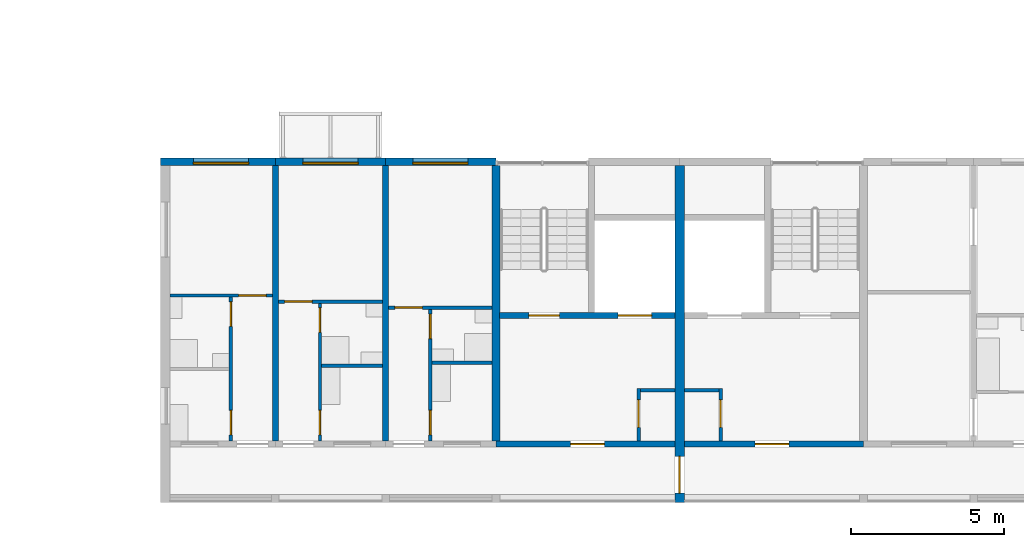
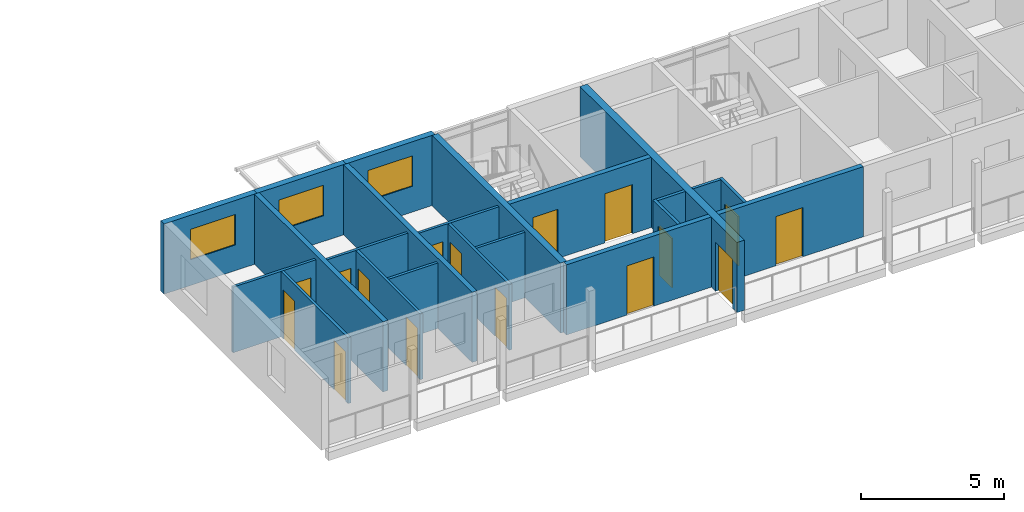
# One storey, part 45 of 93: 22 walls, 16 doors, 3 windows, 19 openings.
"""IFC4 building model written with IfcOpenShell, lengths in metres."""

from ifc_helpers import new_model, si_unit, direction, frame, frame_2d, origin, place, context, subcontext, project, spatial, rectangle, extrude, material, layer, layer_set, type_object, element, fill, save


model = new_model("IFC4")

# Units and contexts
model_context = context("Model", 3, precision=1e-05, world=origin(), true_north=direction((0.0, 1.0)))
body_context = subcontext(model_context, "Body", "Model", "MODEL_VIEW")
ifc_project = project(units=[si_unit("LENGTHUNIT", "METRE"), si_unit("AREAUNIT", "SQUARE_METRE"), si_unit("VOLUMEUNIT", "CUBIC_METRE"), si_unit("PLANEANGLEUNIT", "RADIAN"), si_unit("MASSUNIT", "GRAM", prefix="KILO")], contexts=[model_context])

# Site, building, storey
site_placement = place(None, origin())
site = spatial("IfcSite", under=ifc_project, at=site_placement, CompositionType="ELEMENT")
building_placement = place(site_placement, origin())
building = spatial("IfcBuilding", under=site, at=building_placement, Name="Ridgestep Commons", CompositionType="ELEMENT")
storey_placement = place(building_placement, frame((0.0, 0.0, 18.0)))
storey = spatial("IfcBuildingStorey", under=building, at=storey_placement, Name="L06", CompositionType="ELEMENT", Elevation=18.0)

# Wall
ifc_material_1 = material(Name="Concrete C30/37", Category="concrete")
ifc_layer_1 = layer(ifc_material_1, 0.25)
ifc_layer_set_1 = layer_set([ifc_layer_1], Name="Core cross wall 250")
wall_type_1 = type_object("IfcWallType", Name="Core cross wall 250", PredefinedType="SHEAR", material=ifc_layer_set_1)
wall_1_placement = place(storey_placement, frame((157.60009765625, 13.75, 0.0), z_axis=(0.0, 0.0, 1.0), x_axis=(0.0, 1.0, 0.0)))
element("IfcWall", 1, at=wall_1_placement, inside=storey, type_object=wall_type_1, Name="Cross wall D-06-1576", PredefinedType="SHEAR", context=body_context, shape_type="SweptSolid", body=[
    extrude(rectangle(XDim=9.0, YDim=0.25, at=frame_2d((4.5, 0.0))), origin(), (0.0, 0.0, 1.0), 3.0),
])

# Wall, opening, door
ifc_material_2 = material(Name="Concrete C30/37", Category="concrete")
ifc_layer_2 = layer(ifc_material_2, 0.199951171875)
ifc_layer_set_2 = layer_set([ifc_layer_2], Name="Core south wall 200")
wall_type_2 = type_object("IfcWallType", Name="Core south wall 200", PredefinedType="SHEAR", material=ifc_layer_set_2)
wall_2_placement = place(storey_placement, frame((157.60009765625, 13.64990234375, 0.0), z_axis=(0.0, 0.0, 1.0), x_axis=(1.0, 0.0, 0.0)))
wall_2 = element("IfcWall", 2, at=wall_2_placement, inside=storey, type_object=wall_type_2, Name="Core south wall D1C L06", PredefinedType="SHEAR", context=body_context, shape_type="SweptSolid", body=[
    extrude(rectangle(XDim=5.849853515625, YDim=0.199951171875, at=frame_2d((2.9248046875, 0.0))), origin(), (0.0, 0.0, 1.0), 3.0),
])
opening_1_placement = place(wall_2_placement, frame((2.4375, 0.0, 0.0)))
opening_1 = element("IfcOpeningElement", 3, at=opening_1_placement, cuts=wall_2, Name="Opening D1C/06/1", PredefinedType="OPENING", context=body_context, shape_type="SweptSolid", body=[
    extrude(rectangle(XDim=1.10009765625, YDim=2.10009765625, at=frame_2d((0.550048828125, 1.050048828125))), frame((0.0, 0.10986328125, 0.0), z_axis=(0.0, -1.0, 0.0), x_axis=(1.0, 0.0, 0.0)), (0.0, 0.0, 1.0), 0.219970703125),
])
ifc_material_3 = material(Name="Steel fire door", Category="steel")
door_type_1 = type_object("IfcDoorType", Name="Lobby door 1100 x 2100 FD60", OperationType="NOTDEFINED", PredefinedType="DOOR", material=ifc_material_3)
door_1_placement = place(opening_1_placement, origin())
door_1 = element("IfcDoor", 4, at=door_1_placement, inside=storey, type_object=door_type_1, Name="Lobby door D1C/06/1", OperationType="SINGLE_SWING_LEFT", OverallHeight=2.10009765625, OverallWidth=1.10009765625, PredefinedType="DOOR", context=body_context, shape_type="SweptSolid", body=[
    extrude(rectangle(XDim=1.10009765625, YDim=2.10009765625, at=frame_2d((0.550048828125, 1.050048828125))), frame((0.0, 0.02490234375, 0.0), z_axis=(0.0, -1.0, 0.0), x_axis=(1.0, 0.0, 0.0)), (0.0, 0.0, 1.0), 0.050048828125),
])
fill(opening_1, door_1)

wall_3_placement = place(storey_placement, frame((163.75, 13.64990234375, 0.0), z_axis=(0.0, 0.0, 1.0), x_axis=(1.0, 0.0, 0.0)))
wall_3 = element("IfcWall", 5, at=wall_3_placement, inside=storey, type_object=wall_type_2, Name="Core south wall D2C L06", PredefinedType="SHEAR", context=body_context, shape_type="SweptSolid", body=[
    extrude(rectangle(XDim=5.85009765625, YDim=0.199951171875, at=frame_2d((2.925048828125, 0.0))), origin(), (0.0, 0.0, 1.0), 3.0),
])
opening_2_placement = place(wall_3_placement, frame((2.3125, 0.0, 0.0)))
opening_2 = element("IfcOpeningElement", 6, at=opening_2_placement, cuts=wall_3, Name="Opening D2C/06/1", PredefinedType="OPENING", context=body_context, shape_type="SweptSolid", body=[
    extrude(rectangle(XDim=1.10009765625, YDim=2.10009765625, at=frame_2d((0.550048828125, 1.050048828125))), frame((0.0, 0.10986328125, 0.0), z_axis=(0.0, -1.0, 0.0), x_axis=(1.0, 0.0, 0.0)), (0.0, 0.0, 1.0), 0.219970703125),
])
door_2_placement = place(opening_2_placement, origin())
door_2 = element("IfcDoor", 7, at=door_2_placement, inside=storey, type_object=door_type_1, Name="Lobby door D2C/06/1", OperationType="SINGLE_SWING_LEFT", OverallHeight=2.10009765625, OverallWidth=1.10009765625, PredefinedType="DOOR", context=body_context, shape_type="SweptSolid", body=[
    extrude(rectangle(XDim=1.10009765625, YDim=2.10009765625, at=frame_2d((0.550048828125, 1.050048828125))), frame((0.0, 0.02490234375, 0.0), z_axis=(0.0, -1.0, 0.0), x_axis=(1.0, 0.0, 0.0)), (0.0, 0.0, 1.0), 0.050048828125),
])
fill(opening_2, door_2)

ifc_material_4 = material(Name="Concrete C30/37", Category="concrete")
ifc_layer_3 = layer(ifc_material_4, 0.1201171875)
ifc_layer_set_3 = layer_set([ifc_layer_3], Name="Core wall 120")
wall_type_3 = type_object("IfcWallType", Name="Core wall 120", PredefinedType="SHEAR", material=ifc_layer_set_3)
wall_4_placement = place(storey_placement, frame((162.260009765625, 13.75, 0.0), z_axis=(0.0, 0.0, 1.0), x_axis=(0.0, 1.0, 0.0)))
wall_4 = element("IfcWall", 8, at=wall_4_placement, inside=storey, type_object=wall_type_3, Name="Core riser w wall D1C L06", PredefinedType="SHEAR", context=body_context, shape_type="SweptSolid", body=[
    extrude(rectangle(XDim=1.719970703125, YDim=0.1201171875, at=frame_2d((0.85986328125, 0.0))), origin(), (0.0, 0.0, 1.0), 3.0),
])
opening_3_placement = place(wall_4_placement, frame((0.449951171875, 0.0, 0.0)))
opening_3 = element("IfcOpeningElement", 9, at=opening_3_placement, cuts=wall_4, Name="Opening D1C/06/4", PredefinedType="OPENING", context=body_context, shape_type="SweptSolid", body=[
    extrude(rectangle(XDim=0.89990234375, YDim=2.10009765625, at=frame_2d((0.449951171875, 1.050048828125))), frame((0.0, 0.070068359375, 0.0), z_axis=(0.0, -1.0, 0.0), x_axis=(1.0, 0.0, 0.0)), (0.0, 0.0, 1.0), 0.14013671875),
])
ifc_material_5 = material(Name="Steel fire door", Category="steel")
door_type_2 = type_object("IfcDoorType", Name="Riser door 900 x 2100 FD60", OperationType="NOTDEFINED", PredefinedType="DOOR", material=ifc_material_5)
door_3_placement = place(opening_3_placement, origin())
door_3 = element("IfcDoor", 10, at=door_3_placement, inside=storey, type_object=door_type_2, Name="Riser door D1C/06/4", OperationType="SINGLE_SWING_LEFT", OverallHeight=2.10009765625, OverallWidth=0.89990234375, PredefinedType="DOOR", context=body_context, shape_type="SweptSolid", body=[
    extrude(rectangle(XDim=0.89990234375, YDim=2.10009765625, at=frame_2d((0.449951171875, 1.050048828125))), frame((0.0, 0.02490234375, 0.0), z_axis=(0.0, -1.0, 0.0), x_axis=(1.0, 0.0, 0.0)), (0.0, 0.0, 1.0), 0.050048828125),
])
fill(opening_3, door_3)

# Wall
wall_5_placement = place(storey_placement, frame((162.320068359375, 15.409912109375, 0.0), z_axis=(0.0, 0.0, 1.0), x_axis=(1.0, 0.0, 0.0)))
element("IfcWall", 11, at=wall_5_placement, inside=storey, type_object=wall_type_3, Name="Core riser n wall D1C L06", PredefinedType="SHEAR", context=body_context, shape_type="SweptSolid", body=[
    extrude(rectangle(XDim=1.1298828125, YDim=0.1201171875, at=frame_2d((0.56494140625, 0.0))), origin(), (0.0, 0.0, 1.0), 3.0),
])

# Wall, opening, door
wall_6_placement = place(storey_placement, frame((164.93994140625, 13.75, 0.0), z_axis=(0.0, 0.0, 1.0), x_axis=(0.0, 1.0, 0.0)))
wall_6 = element("IfcWall", 12, at=wall_6_placement, inside=storey, type_object=wall_type_3, Name="Core riser w wall D2C L06", PredefinedType="SHEAR", context=body_context, shape_type="SweptSolid", body=[
    extrude(rectangle(XDim=1.719970703125, YDim=0.1201171875, at=frame_2d((0.85986328125, 0.0))), origin(), (0.0, 0.0, 1.0), 3.0),
])
opening_4_placement = place(wall_6_placement, frame((0.449951171875, 0.0, 0.0)))
opening_4 = element("IfcOpeningElement", 13, at=opening_4_placement, cuts=wall_6, Name="Opening D2C/06/4", PredefinedType="OPENING", context=body_context, shape_type="SweptSolid", body=[
    extrude(rectangle(XDim=0.89990234375, YDim=2.10009765625, at=frame_2d((0.449951171875, 1.050048828125))), frame((0.0, 0.070068359375, 0.0), z_axis=(0.0, -1.0, 0.0), x_axis=(1.0, 0.0, 0.0)), (0.0, 0.0, 1.0), 0.14013671875),
])
door_4_placement = place(opening_4_placement, origin())
door_4 = element("IfcDoor", 14, at=door_4_placement, inside=storey, type_object=door_type_2, Name="Riser door D2C/06/4", OperationType="SINGLE_SWING_RIGHT", OverallHeight=2.10009765625, OverallWidth=0.89990234375, PredefinedType="DOOR", context=body_context, shape_type="SweptSolid", body=[
    extrude(rectangle(XDim=0.89990234375, YDim=2.10009765625, at=frame_2d((0.449951171875, 1.050048828125))), frame((0.0, 0.02490234375, 0.0), z_axis=(0.0, -1.0, 0.0), x_axis=(1.0, 0.0, 0.0)), (0.0, 0.0, 1.0), 0.050048828125),
])
fill(opening_4, door_4)

# Wall
wall_7_placement = place(storey_placement, frame((163.75, 15.409912109375, 0.0), z_axis=(0.0, 0.0, 1.0), x_axis=(1.0, 0.0, 0.0)))
element("IfcWall", 15, at=wall_7_placement, inside=storey, type_object=wall_type_3, Name="Core riser n wall D2C L06", PredefinedType="SHEAR", context=body_context, shape_type="SweptSolid", body=[
    extrude(rectangle(XDim=1.1298828125, YDim=0.1201171875, at=frame_2d((0.56494140625, 0.0))), origin(), (0.0, 0.0, 1.0), 3.0),
])

# Wall, openings, doors
ifc_material_6 = material(Name="Concrete C30/37", Category="concrete")
ifc_layer_4 = layer(ifc_material_6, 0.199951171875)
ifc_layer_set_4 = layer_set([ifc_layer_4], Name="Core wall 200")
wall_type_4 = type_object("IfcWallType", Name="Core wall 200", PredefinedType="SHEAR", material=ifc_layer_set_4)
wall_8_placement = place(storey_placement, frame((157.72509765625, 17.85009765625, 0.0), z_axis=(0.0, 0.0, 1.0), x_axis=(1.0, 0.0, 0.0)))
wall_8 = element("IfcWall", 16, at=wall_8_placement, inside=storey, type_object=wall_type_4, Name="Core lobby wall D1C L06", PredefinedType="SHEAR", context=body_context, shape_type="SweptSolid", body=[
    extrude(rectangle(XDim=5.724853515625, YDim=0.199951171875, at=frame_2d((2.8623046875, 0.0))), origin(), (0.0, 0.0, 1.0), 3.0),
])
opening_5_placement = place(wall_8_placement, frame((0.949951171875, 0.0, 0.0)))
opening_5 = element("IfcOpeningElement", 17, at=opening_5_placement, cuts=wall_8, Name="Opening D1C/06/2", PredefinedType="OPENING", context=body_context, shape_type="SweptSolid", body=[
    extrude(rectangle(XDim=1.0, YDim=2.10009765625, at=frame_2d((0.5, 1.050048828125))), frame((0.0, 0.10986328125, 0.0), z_axis=(0.0, -1.0, 0.0), x_axis=(1.0, 0.0, 0.0)), (0.0, 0.0, 1.0), 0.219970703125),
])
opening_6_placement = place(wall_8_placement, frame((3.862548828125, 0.0, 0.0)))
opening_6 = element("IfcOpeningElement", 18, at=opening_6_placement, cuts=wall_8, Name="Opening D1C/06/3", PredefinedType="OPENING", context=body_context, shape_type="SweptSolid", body=[
    extrude(rectangle(XDim=1.10009765625, YDim=2.10009765625, at=frame_2d((0.550048828125, 1.050048828125))), frame((0.0, 0.10986328125, 0.0), z_axis=(0.0, -1.0, 0.0), x_axis=(1.0, 0.0, 0.0)), (0.0, 0.0, 1.0), 0.219970703125),
])
ifc_material_7 = material(Name="Stainless steel", Category="steel")
door_type_3 = type_object("IfcDoorType", Name="Lift landing door 1100 x 2100 FD60", OperationType="DOUBLE_DOOR_SLIDING", PredefinedType="DOOR", material=ifc_material_7)
door_5_placement = place(opening_6_placement, origin())
door_5 = element("IfcDoor", 19, at=door_5_placement, inside=storey, type_object=door_type_3, Name="Landing door LD D1C L06", OperationType="DOUBLE_DOOR_SLIDING", OverallHeight=2.10009765625, OverallWidth=1.10009765625, PredefinedType="DOOR", context=body_context, shape_type="SweptSolid", body=[
    extrude(rectangle(XDim=1.10009765625, YDim=2.10009765625, at=frame_2d((0.550048828125, 1.050048828125))), frame((0.0, 0.02490234375, 0.0), z_axis=(0.0, -1.0, 0.0), x_axis=(1.0, 0.0, 0.0)), (0.0, 0.0, 1.0), 0.050048828125),
])
fill(opening_6, door_5)
ifc_material_8 = material(Name="Steel fire door", Category="steel")
door_type_4 = type_object("IfcDoorType", Name="Stair door 1000 x 2100 FD60", OperationType="NOTDEFINED", PredefinedType="DOOR", material=ifc_material_8)
door_6_placement = place(opening_5_placement, origin())
door_6 = element("IfcDoor", 20, at=door_6_placement, inside=storey, type_object=door_type_4, Name="Stair door D1C/06/2", OperationType="SINGLE_SWING_RIGHT", OverallHeight=2.10009765625, OverallWidth=1.0, PredefinedType="DOOR", context=body_context, shape_type="SweptSolid", body=[
    extrude(rectangle(XDim=1.0, YDim=2.10009765625, at=frame_2d((0.5, 1.050048828125))), frame((0.0, 0.02490234375, 0.0), z_axis=(0.0, -1.0, 0.0), x_axis=(1.0, 0.0, 0.0)), (0.0, 0.0, 1.0), 0.050048828125),
])
fill(opening_5, door_6)

# Walls
ifc_material_9 = material(Name="Precast concrete C40/50", Category="concrete")
ifc_layer_5 = layer(ifc_material_9, 0.199951171875)
ifc_layer_set_5 = layer_set([ifc_layer_5], Name="Cross wall 200")
wall_type_5 = type_object("IfcWallType", Name="Cross wall 200", PredefinedType="SHEAR", material=ifc_layer_set_5)
for number, where, z_axis, x_axis, name in (
    (21, (150.39990234375, 13.75, 0.0), (0.0, 0.0, 1.0), (0.0, 1.0, 0.0), "Cross wall D-06-1504"),
    (22, (154.0, 13.75, 0.0), (0.0, 0.0, 1.0), (0.0, 1.0, 0.0), "Cross wall D-06-1540"),
):
    element("IfcWall", number, at=place(storey_placement, frame(where, z_axis=z_axis, x_axis=x_axis)), inside=storey, type_object=wall_type_5, Name=name, PredefinedType="SHEAR", context=body_context, shape_type="SweptSolid", body=[
        extrude(rectangle(XDim=9.0, YDim=0.199951171875, at=frame_2d((4.5, 0.0))), origin(), (0.0, 0.0, 1.0), 3.0),
    ])

# Wall, opening, door
ifc_material_10 = material(Name="Precast concrete C40/50", Category="concrete")
ifc_layer_6 = layer(ifc_material_10, 0.300048828125)
ifc_layer_set_6 = layer_set([ifc_layer_6], Name="Division wall 300")
wall_type_6 = type_object("IfcWallType", Name="Division wall 300", PredefinedType="SHEAR", material=ifc_layer_set_6)
wall_9_placement = place(storey_placement, frame((163.60009765625, 11.75, 0.0), z_axis=(0.0, 0.0, 1.0), x_axis=(0.0, 1.0, 0.0)))
wall_9 = element("IfcWall", 23, at=wall_9_placement, inside=storey, type_object=wall_type_6, Name="Cross wall D-06-1636", PredefinedType="SHEAR", context=body_context, shape_type="SweptSolid", body=[
    extrude(rectangle(XDim=11.0, YDim=0.300048828125, at=frame_2d((5.5, 0.0))), origin(), (0.0, 0.0, 1.0), 3.0),
])
opening_7_placement = place(wall_9_placement, frame((0.300048828125, 0.0, 0.0)))
opening_7 = element("IfcOpeningElement", 24, at=opening_7_placement, cuts=wall_9, Name="Opening D/06/G1636", PredefinedType="OPENING", context=body_context, shape_type="SweptSolid", body=[
    extrude(rectangle(XDim=1.199951171875, YDim=2.10009765625, at=frame_2d((0.60009765625, 1.050048828125))), frame((0.0, 0.159912109375, 0.0), z_axis=(0.0, -1.0, 0.0), x_axis=(1.0, 0.0, 0.0)), (0.0, 0.0, 1.0), 0.320068359375),
])
ifc_material_11 = material(Name="Steel fire door", Category="steel")
door_type_5 = type_object("IfcDoorType", Name="Division fire door 1200 x 2100 EI 240", OperationType="DOUBLE_DOOR_SINGLE_SWING", PredefinedType="DOOR", material=ifc_material_11)
door_7_placement = place(opening_7_placement, origin())
door_7 = element("IfcDoor", 25, at=door_7_placement, inside=storey, type_object=door_type_5, Name="Division fire door D/06/G1636", OperationType="DOUBLE_DOOR_SINGLE_SWING", OverallHeight=2.10009765625, OverallWidth=1.199951171875, PredefinedType="DOOR", context=body_context, shape_type="SweptSolid", body=[
    extrude(rectangle(XDim=1.199951171875, YDim=2.10009765625, at=frame_2d((0.60009765625, 1.050048828125))), frame((0.0, 0.02490234375, 0.0), z_axis=(0.0, -1.0, 0.0), x_axis=(1.0, 0.0, 0.0)), (0.0, 0.0, 1.0), 0.050048828125),
])
fill(opening_7, door_7)

# Wall, opening, window
ifc_material_12 = material(Name="Precast concrete C40/50", Category="concrete")
ifc_layer_7 = layer(ifc_material_12, 0.25)
ifc_layer_set_7 = layer_set([ifc_layer_7], Name="North facade panel 250")
wall_type_7 = type_object("IfcWallType", Name="North facade panel 250", PredefinedType="SOLIDWALL", material=ifc_layer_set_7)
wall_10_placement = place(storey_placement, frame((146.64990234375, 22.875, 0.0), z_axis=(0.0, 0.0, 1.0), x_axis=(1.0, 0.0, 0.0)))
wall_10 = element("IfcWall", 26, at=wall_10_placement, inside=storey, type_object=wall_type_7, Name="North panel D1T1 L06", PredefinedType="SOLIDWALL", context=body_context, shape_type="SweptSolid", body=[
    extrude(rectangle(XDim=3.75, YDim=0.25, at=frame_2d((1.875, 0.0))), origin(), (0.0, 0.0, 1.0), 3.0),
])
opening_8_placement = place(wall_10_placement, frame((1.074951171875, 0.0, 1.10009765625)))
opening_8 = element("IfcOpeningElement", 27, at=opening_8_placement, cuts=wall_10, Name="Opening W18", PredefinedType="OPENING", context=body_context, shape_type="SweptSolid", body=[
    extrude(rectangle(XDim=1.800048828125, YDim=1.300048828125, at=frame_2d((0.89990234375, 0.64990234375))), frame((0.0, 0.135009765625, 0.0), z_axis=(0.0, -1.0, 0.0), x_axis=(1.0, 0.0, 0.0)), (0.0, 0.0, 1.0), 0.27001953125),
])
ifc_material_13 = material(Name="Aluminium 6063-T6 and glass", Category="aluminium")
window_type = type_object("IfcWindowType", Name="Flat window 1800 x 1300", PartitioningType="DOUBLE_PANEL_VERTICAL", PredefinedType="WINDOW", material=ifc_material_13)
window_1_placement = place(opening_8_placement, origin())
window_1 = element("IfcWindow", 28, at=window_1_placement, inside=storey, type_object=window_type, Name="Window D1-06a 2", OverallHeight=1.300048828125, OverallWidth=1.800048828125, PartitioningType="SINGLE_PANEL", PredefinedType="WINDOW", context=body_context, shape_type="SweptSolid", body=[
    extrude(rectangle(XDim=1.800048828125, YDim=1.300048828125, at=frame_2d((0.89990234375, 0.64990234375))), frame((0.0, -0.02490234375, 0.0), z_axis=(0.0, -1.0, 0.0), x_axis=(1.0, 0.0, 0.0)), (0.0, 0.0, 1.0), 0.06005859375),
])
fill(opening_8, window_1)

wall_11_placement = place(storey_placement, frame((150.39990234375, 22.875, 0.0), z_axis=(0.0, 0.0, 1.0), x_axis=(1.0, 0.0, 0.0)))
wall_11 = element("IfcWall", 29, at=wall_11_placement, inside=storey, type_object=wall_type_7, Name="North panel D1T2 L06", PredefinedType="SOLIDWALL", context=body_context, shape_type="SweptSolid", body=[
    extrude(rectangle(XDim=3.60009765625, YDim=0.25, at=frame_2d((1.800048828125, 0.0))), origin(), (0.0, 0.0, 1.0), 3.0),
])
opening_9_placement = place(wall_11_placement, frame((0.89990234375, 0.0, 1.10009765625)))
opening_9 = element("IfcOpeningElement", 30, at=opening_9_placement, cuts=wall_11, Name="Opening W18", PredefinedType="OPENING", context=body_context, shape_type="SweptSolid", body=[
    extrude(rectangle(XDim=1.800048828125, YDim=1.300048828125, at=frame_2d((0.89990234375, 0.64990234375))), frame((0.0, 0.135009765625, 0.0), z_axis=(0.0, -1.0, 0.0), x_axis=(1.0, 0.0, 0.0)), (0.0, 0.0, 1.0), 0.27001953125),
])
window_2_placement = place(opening_9_placement, origin())
window_2 = element("IfcWindow", 31, at=window_2_placement, inside=storey, type_object=window_type, Name="Window D1-06b 2", OverallHeight=1.300048828125, OverallWidth=1.800048828125, PartitioningType="SINGLE_PANEL", PredefinedType="WINDOW", context=body_context, shape_type="SweptSolid", body=[
    extrude(rectangle(XDim=1.800048828125, YDim=1.300048828125, at=frame_2d((0.89990234375, 0.64990234375))), frame((0.0, -0.02490234375, 0.0), z_axis=(0.0, -1.0, 0.0), x_axis=(1.0, 0.0, 0.0)), (0.0, 0.0, 1.0), 0.06005859375),
])
fill(opening_9, window_2)

wall_12_placement = place(storey_placement, frame((154.0, 22.875, 0.0), z_axis=(0.0, 0.0, 1.0), x_axis=(1.0, 0.0, 0.0)))
wall_12 = element("IfcWall", 32, at=wall_12_placement, inside=storey, type_object=wall_type_7, Name="North panel D1T3 L06", PredefinedType="SOLIDWALL", context=body_context, shape_type="SweptSolid", body=[
    extrude(rectangle(XDim=3.60009765625, YDim=0.25, at=frame_2d((1.800048828125, 0.0))), origin(), (0.0, 0.0, 1.0), 3.0),
])
opening_10_placement = place(wall_12_placement, frame((0.887451171875, 0.0, 1.10009765625)))
opening_10 = element("IfcOpeningElement", 33, at=opening_10_placement, cuts=wall_12, Name="Opening W18", PredefinedType="OPENING", context=body_context, shape_type="SweptSolid", body=[
    extrude(rectangle(XDim=1.800048828125, YDim=1.300048828125, at=frame_2d((0.89990234375, 0.64990234375))), frame((0.0, 0.135009765625, 0.0), z_axis=(0.0, -1.0, 0.0), x_axis=(1.0, 0.0, 0.0)), (0.0, 0.0, 1.0), 0.27001953125),
])
window_3_placement = place(opening_10_placement, origin())
window_3 = element("IfcWindow", 34, at=window_3_placement, inside=storey, type_object=window_type, Name="Window D1-06c 2", OverallHeight=1.300048828125, OverallWidth=1.800048828125, PartitioningType="SINGLE_PANEL", PredefinedType="WINDOW", context=body_context, shape_type="SweptSolid", body=[
    extrude(rectangle(XDim=1.800048828125, YDim=1.300048828125, at=frame_2d((0.89990234375, 0.64990234375))), frame((0.0, -0.02490234375, 0.0), z_axis=(0.0, -1.0, 0.0), x_axis=(1.0, 0.0, 0.0)), (0.0, 0.0, 1.0), 0.06005859375),
])
fill(opening_10, window_3)

# Wall, openings, doors
ifc_material_14 = material(Name="Common brick 110 mm", Category="masonry")
ifc_layer_8 = layer(ifc_material_14, 0.110107421875)
ifc_layer_set_8 = layer_set([ifc_layer_8], Name="Partition 110")
wall_type_8 = type_object("IfcWallType", Name="Partition 110", PredefinedType="PARTITIONING", material=ifc_layer_set_8)
wall_13_placement = place(storey_placement, frame((148.945068359375, 13.75, 0.0), z_axis=(0.0, 0.0, 1.0), x_axis=(0.0, 1.0, 0.0)))
wall_13 = element("IfcWall", 35, at=wall_13_placement, inside=storey, type_object=wall_type_8, Name="Partition D1-06a", PredefinedType="PARTITIONING", context=body_context, shape_type="SweptSolid", body=[
    extrude(rectangle(XDim=4.699951171875, YDim=0.110107421875, at=frame_2d((2.35009765625, 0.0))), origin(), (0.0, 0.0, 1.0), 2.800048828125),
])
opening_11_placement = place(wall_13_placement, frame((0.199951171875, 0.0, 0.0)))
opening_11 = element("IfcOpeningElement", 36, at=opening_11_placement, cuts=wall_13, Name="Opening D1-06a/2", PredefinedType="OPENING", context=body_context, shape_type="SweptSolid", body=[
    extrude(rectangle(XDim=0.800048828125, YDim=2.10009765625, at=frame_2d((0.39990234375, 1.050048828125))), frame((0.0, 0.06494140625, 0.0), z_axis=(0.0, -1.0, 0.0), x_axis=(1.0, 0.0, 0.0)), (0.0, 0.0, 1.0), 0.130126953125),
])
opening_12_placement = place(wall_13_placement, frame((3.75, 0.0, 0.0)))
opening_12 = element("IfcOpeningElement", 37, at=opening_12_placement, cuts=wall_13, Name="Opening D1-06a/3", PredefinedType="OPENING", context=body_context, shape_type="SweptSolid", body=[
    extrude(rectangle(XDim=0.800048828125, YDim=2.10009765625, at=frame_2d((0.39990234375, 1.050048828125))), frame((0.0, 0.06494140625, 0.0), z_axis=(0.0, -1.0, 0.0), x_axis=(1.0, 0.0, 0.0)), (0.0, 0.0, 1.0), 0.130126953125),
])
ifc_material_15 = material(Name="Timber door leaf", Category="wood")
door_type_6 = type_object("IfcDoorType", Name="Internal door 800 x 2100", OperationType="NOTDEFINED", PredefinedType="DOOR", material=ifc_material_15)
door_8_placement = place(opening_11_placement, origin())
door_8 = element("IfcDoor", 38, at=door_8_placement, inside=storey, type_object=door_type_6, Name="Internal door D1-06a/2", OperationType="SINGLE_SWING_LEFT", OverallHeight=2.10009765625, OverallWidth=0.800048828125, PredefinedType="DOOR", context=body_context, shape_type="SweptSolid", body=[
    extrude(rectangle(XDim=0.800048828125, YDim=2.10009765625, at=frame_2d((0.39990234375, 1.050048828125))), frame((0.0, 0.02490234375, 0.0), z_axis=(0.0, -1.0, 0.0), x_axis=(1.0, 0.0, 0.0)), (0.0, 0.0, 1.0), 0.050048828125),
])
fill(opening_11, door_8)
door_9_placement = place(opening_12_placement, origin())
door_9 = element("IfcDoor", 39, at=door_9_placement, inside=storey, type_object=door_type_6, Name="Internal door D1-06a/3", OperationType="SINGLE_SWING_RIGHT", OverallHeight=2.10009765625, OverallWidth=0.800048828125, PredefinedType="DOOR", context=body_context, shape_type="SweptSolid", body=[
    extrude(rectangle(XDim=0.800048828125, YDim=2.10009765625, at=frame_2d((0.39990234375, 1.050048828125))), frame((0.0, 0.02490234375, 0.0), z_axis=(0.0, -1.0, 0.0), x_axis=(1.0, 0.0, 0.0)), (0.0, 0.0, 1.0), 0.050048828125),
])
fill(opening_12, door_9)

# Wall, opening, door
wall_14_placement = place(storey_placement, frame((146.949951171875, 18.5048828125, 0.0), z_axis=(0.0, 0.0, 1.0), x_axis=(1.0, 0.0, 0.0)))
wall_14 = element("IfcWall", 40, at=wall_14_placement, inside=storey, type_object=wall_type_8, Name="Partition D1-06a", PredefinedType="PARTITIONING", context=body_context, shape_type="SweptSolid", body=[
    extrude(rectangle(XDim=3.35009765625, YDim=0.110107421875, at=frame_2d((1.675048828125, 0.0))), origin(), (0.0, 0.0, 1.0), 2.800048828125),
])
opening_13_placement = place(wall_14_placement, frame((2.25, 0.0, 0.0)))
opening_13 = element("IfcOpeningElement", 41, at=opening_13_placement, cuts=wall_14, Name="Opening D1-06a/4", PredefinedType="OPENING", context=body_context, shape_type="SweptSolid", body=[
    extrude(rectangle(XDim=0.89990234375, YDim=2.10009765625, at=frame_2d((0.449951171875, 1.050048828125))), frame((0.0, 0.06494140625, 0.0), z_axis=(0.0, -1.0, 0.0), x_axis=(1.0, 0.0, 0.0)), (0.0, 0.0, 1.0), 0.130126953125),
])
ifc_material_16 = material(Name="Timber door leaf", Category="wood")
door_type_7 = type_object("IfcDoorType", Name="Internal door 900 x 2100", OperationType="NOTDEFINED", PredefinedType="DOOR", material=ifc_material_16)
door_10_placement = place(opening_13_placement, origin())
door_10 = element("IfcDoor", 42, at=door_10_placement, inside=storey, type_object=door_type_7, Name="Internal door D1-06a/4", OperationType="SINGLE_SWING_LEFT", OverallHeight=2.10009765625, OverallWidth=0.89990234375, PredefinedType="DOOR", context=body_context, shape_type="SweptSolid", body=[
    extrude(rectangle(XDim=0.89990234375, YDim=2.10009765625, at=frame_2d((0.449951171875, 1.050048828125))), frame((0.0, 0.02490234375, 0.0), z_axis=(0.0, -1.0, 0.0), x_axis=(1.0, 0.0, 0.0)), (0.0, 0.0, 1.0), 0.050048828125),
])
fill(opening_13, door_10)

# Wall, openings, doors
wall_15_placement = place(storey_placement, frame((151.85498046875, 13.75, 0.0), z_axis=(0.0, 0.0, 1.0), x_axis=(0.0, 1.0, 0.0)))
wall_15 = element("IfcWall", 43, at=wall_15_placement, inside=storey, type_object=wall_type_8, Name="Partition D1-06b", PredefinedType="PARTITIONING", context=body_context, shape_type="SweptSolid", body=[
    extrude(rectangle(XDim=4.5, YDim=0.110107421875, at=frame_2d((2.25, 0.0))), origin(), (0.0, 0.0, 1.0), 2.800048828125),
])
opening_14_placement = place(wall_15_placement, frame((0.199951171875, 0.0, 0.0)))
opening_14 = element("IfcOpeningElement", 44, at=opening_14_placement, cuts=wall_15, Name="Opening D1-06b/2", PredefinedType="OPENING", context=body_context, shape_type="SweptSolid", body=[
    extrude(rectangle(XDim=0.800048828125, YDim=2.10009765625, at=frame_2d((0.39990234375, 1.050048828125))), frame((0.0, 0.06494140625, 0.0), z_axis=(0.0, -1.0, 0.0), x_axis=(1.0, 0.0, 0.0)), (0.0, 0.0, 1.0), 0.130126953125),
])
opening_15_placement = place(wall_15_placement, frame((3.550048828125, 0.0, 0.0)))
opening_15 = element("IfcOpeningElement", 45, at=opening_15_placement, cuts=wall_15, Name="Opening D1-06b/3", PredefinedType="OPENING", context=body_context, shape_type="SweptSolid", body=[
    extrude(rectangle(XDim=0.800048828125, YDim=2.10009765625, at=frame_2d((0.39990234375, 1.050048828125))), frame((0.0, 0.06494140625, 0.0), z_axis=(0.0, -1.0, 0.0), x_axis=(1.0, 0.0, 0.0)), (0.0, 0.0, 1.0), 0.130126953125),
])
door_11_placement = place(opening_14_placement, origin())
door_11 = element("IfcDoor", 46, at=door_11_placement, inside=storey, type_object=door_type_6, Name="Internal door D1-06b/2", OperationType="SINGLE_SWING_RIGHT", OverallHeight=2.10009765625, OverallWidth=0.800048828125, PredefinedType="DOOR", context=body_context, shape_type="SweptSolid", body=[
    extrude(rectangle(XDim=0.800048828125, YDim=2.10009765625, at=frame_2d((0.39990234375, 1.050048828125))), frame((0.0, 0.02490234375, 0.0), z_axis=(0.0, -1.0, 0.0), x_axis=(1.0, 0.0, 0.0)), (0.0, 0.0, 1.0), 0.050048828125),
])
fill(opening_14, door_11)
door_12_placement = place(opening_15_placement, origin())
door_12 = element("IfcDoor", 47, at=door_12_placement, inside=storey, type_object=door_type_6, Name="Internal door D1-06b/3", OperationType="SINGLE_SWING_LEFT", OverallHeight=2.10009765625, OverallWidth=0.800048828125, PredefinedType="DOOR", context=body_context, shape_type="SweptSolid", body=[
    extrude(rectangle(XDim=0.800048828125, YDim=2.10009765625, at=frame_2d((0.39990234375, 1.050048828125))), frame((0.0, 0.02490234375, 0.0), z_axis=(0.0, -1.0, 0.0), x_axis=(1.0, 0.0, 0.0)), (0.0, 0.0, 1.0), 0.050048828125),
])
fill(opening_15, door_12)

# Wall
wall_16_placement = place(storey_placement, frame((151.909912109375, 16.205078125, 0.0), z_axis=(0.0, 0.0, 1.0), x_axis=(1.0, 0.0, 0.0)))
element("IfcWall", 48, at=wall_16_placement, inside=storey, type_object=wall_type_8, Name="Partition D1-06b", PredefinedType="PARTITIONING", context=body_context, shape_type="SweptSolid", body=[
    extrude(rectangle(XDim=1.989990234375, YDim=0.110107421875, at=frame_2d((0.9951171875, 0.0))), origin(), (0.0, 0.0, 1.0), 2.800048828125),
])

# Wall, opening, door
wall_17_placement = place(storey_placement, frame((150.5, 18.304931640625, 0.0), z_axis=(0.0, 0.0, 1.0), x_axis=(1.0, 0.0, 0.0)))
wall_17 = element("IfcWall", 49, at=wall_17_placement, inside=storey, type_object=wall_type_8, Name="Partition D1-06b", PredefinedType="PARTITIONING", context=body_context, shape_type="SweptSolid", body=[
    extrude(rectangle(XDim=3.39990234375, YDim=0.110107421875, at=frame_2d((1.699951171875, 0.0))), origin(), (0.0, 0.0, 1.0), 2.800048828125),
])
opening_16_placement = place(wall_17_placement, frame((0.199951171875, 0.0, 0.0)))
opening_16 = element("IfcOpeningElement", 50, at=opening_16_placement, cuts=wall_17, Name="Opening D1-06b/4", PredefinedType="OPENING", context=body_context, shape_type="SweptSolid", body=[
    extrude(rectangle(XDim=0.89990234375, YDim=2.10009765625, at=frame_2d((0.449951171875, 1.050048828125))), frame((0.0, 0.06494140625, 0.0), z_axis=(0.0, -1.0, 0.0), x_axis=(1.0, 0.0, 0.0)), (0.0, 0.0, 1.0), 0.130126953125),
])
door_13_placement = place(opening_16_placement, origin())
door_13 = element("IfcDoor", 51, at=door_13_placement, inside=storey, type_object=door_type_7, Name="Internal door D1-06b/4", OperationType="SINGLE_SWING_LEFT", OverallHeight=2.10009765625, OverallWidth=0.89990234375, PredefinedType="DOOR", context=body_context, shape_type="SweptSolid", body=[
    extrude(rectangle(XDim=0.89990234375, YDim=2.10009765625, at=frame_2d((0.449951171875, 1.050048828125))), frame((0.0, 0.02490234375, 0.0), z_axis=(0.0, -1.0, 0.0), x_axis=(1.0, 0.0, 0.0)), (0.0, 0.0, 1.0), 0.050048828125),
])
fill(opening_16, door_13)

# Wall, openings, doors
wall_18_placement = place(storey_placement, frame((155.455078125, 13.75, 0.0), z_axis=(0.0, 0.0, 1.0), x_axis=(0.0, 1.0, 0.0)))
wall_18 = element("IfcWall", 52, at=wall_18_placement, inside=storey, type_object=wall_type_8, Name="Partition D1-06c", PredefinedType="PARTITIONING", context=body_context, shape_type="SweptSolid", body=[
    extrude(rectangle(XDim=4.300048828125, YDim=0.110107421875, at=frame_2d((2.14990234375, 0.0))), origin(), (0.0, 0.0, 1.0), 2.800048828125),
])
opening_17_placement = place(wall_18_placement, frame((0.199951171875, 0.0, 0.0)))
opening_17 = element("IfcOpeningElement", 53, at=opening_17_placement, cuts=wall_18, Name="Opening D1-06c/2", PredefinedType="OPENING", context=body_context, shape_type="SweptSolid", body=[
    extrude(rectangle(XDim=0.800048828125, YDim=2.10009765625, at=frame_2d((0.39990234375, 1.050048828125))), frame((0.0, 0.06494140625, 0.0), z_axis=(0.0, -1.0, 0.0), x_axis=(1.0, 0.0, 0.0)), (0.0, 0.0, 1.0), 0.130126953125),
])
opening_18_placement = place(wall_18_placement, frame((3.35009765625, 0.0, 0.0)))
opening_18 = element("IfcOpeningElement", 54, at=opening_18_placement, cuts=wall_18, Name="Opening D1-06c/3", PredefinedType="OPENING", context=body_context, shape_type="SweptSolid", body=[
    extrude(rectangle(XDim=0.800048828125, YDim=2.10009765625, at=frame_2d((0.39990234375, 1.050048828125))), frame((0.0, 0.06494140625, 0.0), z_axis=(0.0, -1.0, 0.0), x_axis=(1.0, 0.0, 0.0)), (0.0, 0.0, 1.0), 0.130126953125),
])
door_14_placement = place(opening_17_placement, origin())
door_14 = element("IfcDoor", 55, at=door_14_placement, inside=storey, type_object=door_type_6, Name="Internal door D1-06c/2", OperationType="SINGLE_SWING_RIGHT", OverallHeight=2.10009765625, OverallWidth=0.800048828125, PredefinedType="DOOR", context=body_context, shape_type="SweptSolid", body=[
    extrude(rectangle(XDim=0.800048828125, YDim=2.10009765625, at=frame_2d((0.39990234375, 1.050048828125))), frame((0.0, 0.02490234375, 0.0), z_axis=(0.0, -1.0, 0.0), x_axis=(1.0, 0.0, 0.0)), (0.0, 0.0, 1.0), 0.050048828125),
])
fill(opening_17, door_14)
door_15_placement = place(opening_18_placement, origin())
door_15 = element("IfcDoor", 56, at=door_15_placement, inside=storey, type_object=door_type_6, Name="Internal door D1-06c/3", OperationType="SINGLE_SWING_LEFT", OverallHeight=2.10009765625, OverallWidth=0.800048828125, PredefinedType="DOOR", context=body_context, shape_type="SweptSolid", body=[
    extrude(rectangle(XDim=0.800048828125, YDim=2.10009765625, at=frame_2d((0.39990234375, 1.050048828125))), frame((0.0, 0.02490234375, 0.0), z_axis=(0.0, -1.0, 0.0), x_axis=(1.0, 0.0, 0.0)), (0.0, 0.0, 1.0), 0.050048828125),
])
fill(opening_18, door_15)

# Wall
wall_19_placement = place(storey_placement, frame((155.510009765625, 16.304931640625, 0.0), z_axis=(0.0, 0.0, 1.0), x_axis=(1.0, 0.0, 0.0)))
element("IfcWall", 57, at=wall_19_placement, inside=storey, type_object=wall_type_8, Name="Partition D1-06c", PredefinedType="PARTITIONING", context=body_context, shape_type="SweptSolid", body=[
    extrude(rectangle(XDim=1.965087890625, YDim=0.110107421875, at=frame_2d((0.982421875, 0.0))), origin(), (0.0, 0.0, 1.0), 2.800048828125),
])

# Wall, opening, door
wall_20_placement = place(storey_placement, frame((154.10009765625, 18.10498046875, 0.0), z_axis=(0.0, 0.0, 1.0), x_axis=(1.0, 0.0, 0.0)))
wall_20 = element("IfcWall", 58, at=wall_20_placement, inside=storey, type_object=wall_type_8, Name="Partition D1-06c", PredefinedType="PARTITIONING", context=body_context, shape_type="SweptSolid", body=[
    extrude(rectangle(XDim=3.375, YDim=0.110107421875, at=frame_2d((1.6875, 0.0))), origin(), (0.0, 0.0, 1.0), 2.800048828125),
])
opening_19_placement = place(wall_20_placement, frame((0.199951171875, 0.0, 0.0)))
opening_19 = element("IfcOpeningElement", 59, at=opening_19_placement, cuts=wall_20, Name="Opening D1-06c/4", PredefinedType="OPENING", context=body_context, shape_type="SweptSolid", body=[
    extrude(rectangle(XDim=0.89990234375, YDim=2.10009765625, at=frame_2d((0.449951171875, 1.050048828125))), frame((0.0, 0.06494140625, 0.0), z_axis=(0.0, -1.0, 0.0), x_axis=(1.0, 0.0, 0.0)), (0.0, 0.0, 1.0), 0.130126953125),
])
door_16_placement = place(opening_19_placement, origin())
door_16 = element("IfcDoor", 60, at=door_16_placement, inside=storey, type_object=door_type_7, Name="Internal door D1-06c/4", OperationType="SINGLE_SWING_LEFT", OverallHeight=2.10009765625, OverallWidth=0.89990234375, PredefinedType="DOOR", context=body_context, shape_type="SweptSolid", body=[
    extrude(rectangle(XDim=0.89990234375, YDim=2.10009765625, at=frame_2d((0.449951171875, 1.050048828125))), frame((0.0, 0.02490234375, 0.0), z_axis=(0.0, -1.0, 0.0), x_axis=(1.0, 0.0, 0.0)), (0.0, 0.0, 1.0), 0.050048828125),
])
fill(opening_19, door_16)

save(model, "model.ifc")
